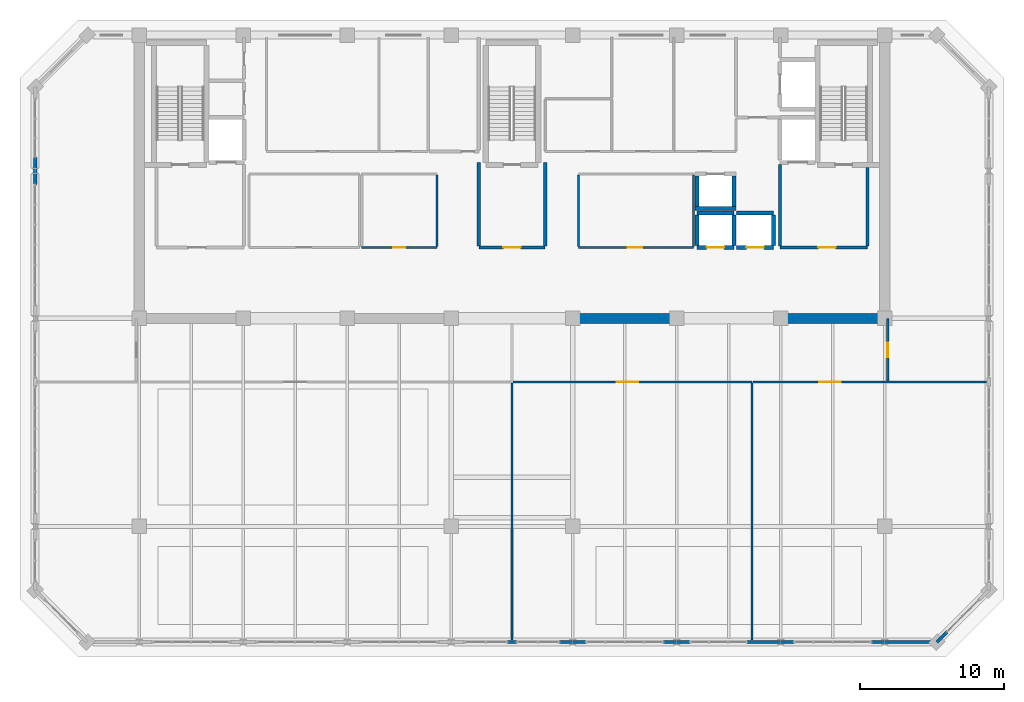
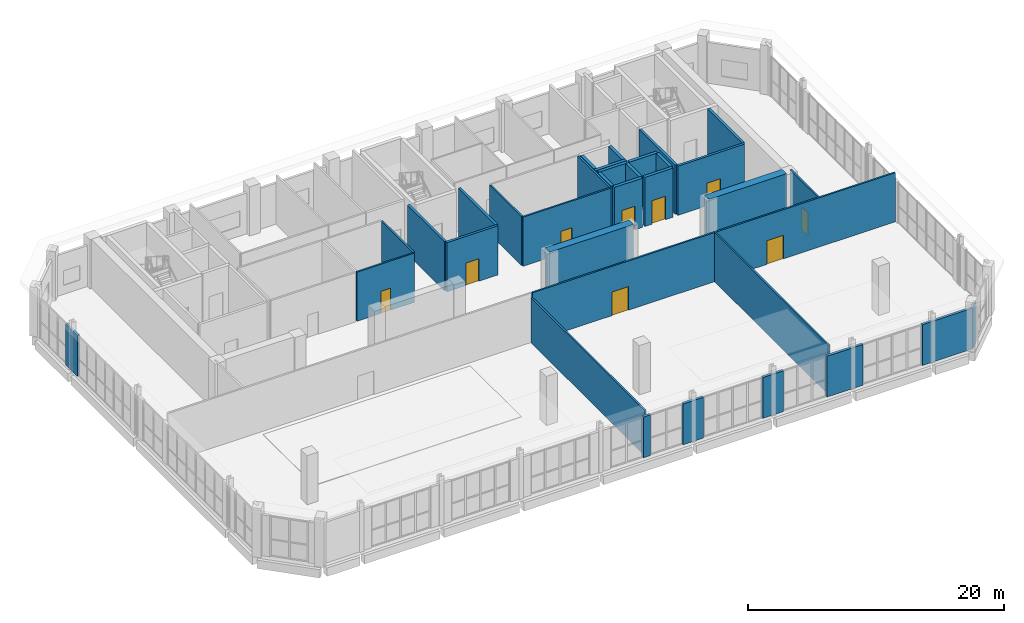
# One storey, part 30 of 36: 35 walls, 9 doors, 9 openings.
"""IFC4 building model written with IfcOpenShell, lengths in metres."""

from ifc_helpers import new_model, si_unit, direction, frame, frame_2d, origin, place, context, subcontext, project, spatial, rectangle, extrude, material, layer, layer_set, type_object, element, fill, save


model = new_model("IFC4")

# Units and contexts
model_context = context("Model", 3, precision=1e-05, world=origin(), true_north=direction((0.0, 1.0)))
body_context = subcontext(model_context, "Body", "Model", "MODEL_VIEW")
ifc_project = project(units=[si_unit("LENGTHUNIT", "METRE"), si_unit("AREAUNIT", "SQUARE_METRE"), si_unit("VOLUMEUNIT", "CUBIC_METRE"), si_unit("PLANEANGLEUNIT", "RADIAN"), si_unit("MASSUNIT", "GRAM", prefix="KILO")], contexts=[model_context])

# Site, building, storey
site_placement = place(None, origin())
site = spatial("IfcSite", under=ifc_project, at=site_placement, CompositionType="ELEMENT")
building_placement = place(site_placement, origin())
building = spatial("IfcBuilding", under=site, at=building_placement, Name="Kaelvorn Grand Hotel", CompositionType="ELEMENT")
storey_placement = place(building_placement, frame((0.0, 0.0, 305.699951171875)))
storey = spatial("IfcBuildingStorey", under=building, at=storey_placement, Name="L74", CompositionType="ELEMENT", Elevation=305.699951171875)

# Walls
ifc_material_1 = material(Name="Concrete C50/60", Category="concrete")
ifc_layer_1 = layer(ifc_material_1, 0.699951171875)
ifc_layer_set_1 = layer_set([ifc_layer_1], Name="Concrete C50/60")
wall_type_1 = type_object("IfcWallType", Name="WL-CORE-700-C50", PredefinedType="SHEAR", material=ifc_layer_set_1)
wall_1_placement = place(storey_placement, frame((46.0, 29.39990234375, 0.0), z_axis=(0.0, 0.0, 1.0), x_axis=(1.0, 0.0, 0.0)))
element("IfcWall", 1, at=wall_1_placement, inside=storey, type_object=wall_type_1, Name="L74 Rear-Core Coupled Shear Pier S3", PredefinedType="SHEAR", context=body_context, shape_type="SweptSolid", body=[
    extrude(rectangle(XDim=7.60009765625, YDim=0.699951171875, at=frame_2d((3.800048828125, 0.0))), origin(), (0.0, 0.0, 1.0), 4.699951171875),
])
wall_2_placement = place(storey_placement, frame((60.39990234375, 29.39990234375, 0.0), z_axis=(0.0, 0.0, 1.0), x_axis=(1.0, 0.0, 0.0)))
element("IfcWall", 2, at=wall_2_placement, inside=storey, type_object=wall_type_1, Name="L74 Rear-Core Coupled Shear Pier S4", PredefinedType="SHEAR", context=body_context, shape_type="SweptSolid", body=[
    extrude(rectangle(XDim=7.045166015625, YDim=0.699951171875, at=frame_2d((3.5224609375, 0.0))), origin(), (0.0, 0.0, 1.0), 4.699951171875),
])
ifc_material_2 = material(Name="Concrete C40/50", Category="concrete")
ifc_layer_2 = layer(ifc_material_2, 0.219970703125)
ifc_layer_set_2 = layer_set([ifc_layer_2], Name="Concrete C40/50")
wall_type_2 = type_object("IfcWallType", Name="WL-EXT-220-C40", PredefinedType="SOLIDWALL", material=ifc_layer_set_2)
wall_3_placement = place(storey_placement, frame((41.675048828125, 7.0, 0.0), z_axis=(0.0, 0.0, 1.0), x_axis=(1.0, 0.0, 0.0)))
element("IfcWall", 3, at=wall_3_placement, inside=storey, type_object=wall_type_2, Name="L74 Exterior Architectural Concrete Wall 01 Pier 5", PredefinedType="SOLIDWALL", context=body_context, shape_type="SweptSolid", body=[
    extrude(rectangle(XDim=0.64990234375, YDim=0.219970703125, at=frame_2d((0.324951171875, 0.0))), origin(), (0.0, 0.0, 1.0), 3.900146484375),
])
wall_4_placement = place(storey_placement, frame((45.27490234375, 7.0, 0.0), z_axis=(0.0, 0.0, 1.0), x_axis=(1.0, 0.0, 0.0)))
element("IfcWall", 4, at=wall_4_placement, inside=storey, type_object=wall_type_2, Name="L74 Exterior Architectural Concrete Wall 01 Pier 6", PredefinedType="SOLIDWALL", context=body_context, shape_type="SweptSolid", body=[
    extrude(rectangle(XDim=1.85009765625, YDim=0.219970703125, at=frame_2d((0.925048828125, 0.0))), origin(), (0.0, 0.0, 1.0), 3.900146484375),
])
wall_5_placement = place(storey_placement, frame((52.47509765625, 7.0, 0.0), z_axis=(0.0, 0.0, 1.0), x_axis=(1.0, 0.0, 0.0)))
element("IfcWall", 5, at=wall_5_placement, inside=storey, type_object=wall_type_2, Name="L74 Exterior Architectural Concrete Wall 01 Pier 7", PredefinedType="SOLIDWALL", context=body_context, shape_type="SweptSolid", body=[
    extrude(rectangle(XDim=1.849853515625, YDim=0.219970703125, at=frame_2d((0.9248046875, 0.0))), origin(), (0.0, 0.0, 1.0), 3.900146484375),
])
wall_6_placement = place(storey_placement, frame((58.27490234375, 7.0, 0.0), z_axis=(0.0, 0.0, 1.0), x_axis=(1.0, 0.0, 0.0)))
element("IfcWall", 6, at=wall_6_placement, inside=storey, type_object=wall_type_2, Name="L74 Exterior Architectural Concrete Wall 01 Pier 8", PredefinedType="SOLIDWALL", context=body_context, shape_type="SweptSolid", body=[
    extrude(rectangle(XDim=3.25, YDim=0.219970703125, at=frame_2d((1.625, 0.0))), origin(), (0.0, 0.0, 1.0), 3.900146484375),
])
wall_7_placement = place(storey_placement, frame((66.875, 7.0, 0.0), z_axis=(0.0, 0.0, 1.0), x_axis=(1.0, 0.0, 0.0)))
element("IfcWall", 7, at=wall_7_placement, inside=storey, type_object=wall_type_2, Name="L74 Exterior Architectural Concrete Wall 01 Pier 9", PredefinedType="SOLIDWALL", context=body_context, shape_type="SweptSolid", body=[
    extrude(rectangle(XDim=4.52490234375, YDim=0.219970703125, at=frame_2d((2.262451171875, 0.0))), origin(), (0.0, 0.0, 1.0), 3.900146484375),
])
wall_8_placement = place(storey_placement, frame((71.39990234375, 7.0, 0.0), z_axis=(0.0, 0.0, 1.0), x_axis=(0.707106781187, 0.707106781187, 0.0)))
element("IfcWall", 8, at=wall_8_placement, inside=storey, type_object=wall_type_2, Name="L74 Exterior Architectural Concrete Wall 02 Pier 1", PredefinedType="SOLIDWALL", context=body_context, shape_type="SweptSolid", body=[
    extrude(rectangle(XDim=0.985107421875, YDim=0.219970703125, at=frame_2d((0.49267578125, 0.0))), origin(), (0.0, 0.0, 1.0), 3.900146484375),
])
wall_9_placement = place(storey_placement, frame((9.0, 40.52490234375, 0.0), z_axis=(0.0, 0.0, 1.0), x_axis=(0.0, -1.0, 0.0)))
element("IfcWall", 9, at=wall_9_placement, inside=storey, type_object=wall_type_2, Name="L74 Exterior Architectural Concrete Wall 07 Pier 2", PredefinedType="SOLIDWALL", context=body_context, shape_type="SweptSolid", body=[
    extrude(rectangle(XDim=1.849853515625, YDim=0.219970703125, at=frame_2d((0.9248046875, 0.0))), origin(), (0.0, 0.0, 1.0), 3.900146484375),
])

# Wall, opening, door
ifc_material_3 = material(Name="Acoustic Gypsum & Stud Partition")
ifc_layer_3 = layer(ifc_material_3, 0.14990234375)
ifc_layer_set_3 = layer_set([ifc_layer_3], Name="Acoustic Gypsum & Stud Partition")
wall_type_3 = type_object("IfcWallType", Name="WL-PART-150-EI60", PredefinedType="PARTITIONING", material=ifc_layer_set_3)
wall_10_placement = place(storey_placement, frame((31.60009765625, 34.300048828125, 0.0), z_axis=(0.0, 0.0, 1.0), x_axis=(1.0, 0.0, 0.0)))
wall_10 = element("IfcWall", 10, at=wall_10_placement, inside=storey, type_object=wall_type_3, Name="L74 Core Telecoms & BMS Server Room S Partition", PredefinedType="PARTITIONING", context=body_context, shape_type="SweptSolid", body=[
    extrude(rectangle(XDim=5.199951171875, YDim=0.14990234375, at=frame_2d((2.60009765625, 0.0))), origin(), (0.0, 0.0, 1.0), 4.699951171875),
])
opening_1_placement = place(wall_10_placement, frame((2.175048828125, 0.0, 0.0)))
opening_1 = element("IfcOpeningElement", 11, at=opening_1_placement, cuts=wall_10, Name="Opening DI7", PredefinedType="OPENING", context=body_context, shape_type="SweptSolid", body=[
    extrude(rectangle(XDim=0.85009765625, YDim=2.10009765625, at=frame_2d((0.425048828125, 1.050048828125))), frame((0.0, 0.0849609375, 0.0), z_axis=(0.0, -1.0, 0.0), x_axis=(1.0, 0.0, 0.0)), (0.0, 0.0, 1.0), 0.169921875),
])
ifc_material_4 = material(Name="Powder-Coated Steel Leaf", Category="steel")
door_type_1 = type_object("IfcDoorType", Name="DR-INT-RISER-850x2100", OperationType="NOTDEFINED", PredefinedType="DOOR", material=ifc_material_4)
door_1_placement = place(opening_1_placement, origin())
door_1 = element("IfcDoor", 12, at=door_1_placement, inside=storey, type_object=door_type_1, Name="L74 Core Telecoms & BMS Server Room Door", OperationType="SINGLE_SWING_LEFT", OverallHeight=2.10009765625, OverallWidth=0.85009765625, PredefinedType="DOOR", context=body_context, shape_type="SweptSolid", body=[
    extrude(rectangle(XDim=0.85009765625, YDim=2.10009765625, at=frame_2d((0.425048828125, 1.050048828125))), frame((0.0, 0.02490234375, 0.0), z_axis=(0.0, -1.0, 0.0), x_axis=(1.0, 0.0, 0.0)), (0.0, 0.0, 1.0), 0.050048828125),
])
fill(opening_1, door_1)

# Wall
wall_11_placement = place(storey_placement, frame((36.800048828125, 34.3798828125, 0.0), z_axis=(0.0, 0.0, 1.0), x_axis=(0.0, 1.0, 0.0)))
element("IfcWall", 13, at=wall_11_placement, inside=storey, type_object=wall_type_3, Name="L74 Core Telecoms & BMS Server Room E Partition", PredefinedType="PARTITIONING", context=body_context, shape_type="SweptSolid", body=[
    extrude(rectangle(XDim=4.940185546875, YDim=0.14990234375, at=frame_2d((2.47021484375, 0.0))), origin(), (0.0, 0.0, 1.0), 4.699951171875),
])

# Wall, opening, door
wall_12_placement = place(storey_placement, frame((46.60009765625, 34.300048828125, 0.0), z_axis=(0.0, 0.0, 1.0), x_axis=(1.0, 0.0, 0.0)))
wall_12 = element("IfcWall", 14, at=wall_12_placement, inside=storey, type_object=wall_type_3, Name="L74 Sky Concierge & Butler Pantry Lounge S Partition", PredefinedType="PARTITIONING", context=body_context, shape_type="SweptSolid", body=[
    extrude(rectangle(XDim=7.949951171875, YDim=0.14990234375, at=frame_2d((3.97509765625, 0.0))), origin(), (0.0, 0.0, 1.0), 4.699951171875),
])
opening_2_placement = place(wall_12_placement, frame((3.39990234375, 0.0, 0.0)))
opening_2 = element("IfcOpeningElement", 15, at=opening_2_placement, cuts=wall_12, Name="Opening DI3", PredefinedType="OPENING", context=body_context, shape_type="SweptSolid", body=[
    extrude(rectangle(XDim=1.0, YDim=2.14990234375, at=frame_2d((0.5, 1.074951171875))), frame((0.0, 0.0849609375, 0.0), z_axis=(0.0, -1.0, 0.0), x_axis=(1.0, 0.0, 0.0)), (0.0, 0.0, 1.0), 0.169921875),
])
ifc_material_5 = material(Name="Timber Veneer Fire Leaf", Category="wood")
door_type_2 = type_object("IfcDoorType", Name="DR-INT-GUEST-1000x2150", OperationType="NOTDEFINED", PredefinedType="DOOR", material=ifc_material_5)
door_2_placement = place(opening_2_placement, origin())
door_2 = element("IfcDoor", 16, at=door_2_placement, inside=storey, type_object=door_type_2, Name="L74 Sky Concierge & Butler Pantry Lounge Door", OperationType="SINGLE_SWING_LEFT", OverallHeight=2.14990234375, OverallWidth=1.0, PredefinedType="DOOR", context=body_context, shape_type="SweptSolid", body=[
    extrude(rectangle(XDim=1.0, YDim=2.14990234375, at=frame_2d((0.5, 1.074951171875))), frame((0.0, 0.02490234375, 0.0), z_axis=(0.0, -1.0, 0.0), x_axis=(1.0, 0.0, 0.0)), (0.0, 0.0, 1.0), 0.050048828125),
])
fill(opening_2, door_2)

# Walls
for number, where, z_axis, x_axis, name in (
    (17, (46.60009765625, 34.3798828125, 0.0), (0.0, 0.0, 1.0), (0.0, 1.0, 0.0), "L74 Sky Concierge & Butler Pantry Lounge W Partition"),
    (18, (54.550048828125, 34.3798828125, 0.0), (0.0, 0.0, 1.0), (0.0, 1.0, 0.0), "L74 Sky Concierge & Butler Pantry Lounge E Partition"),
):
    element("IfcWall", number, at=place(storey_placement, frame(where, z_axis=z_axis, x_axis=x_axis)), inside=storey, type_object=wall_type_3, Name=name, PredefinedType="PARTITIONING", context=body_context, shape_type="SweptSolid", body=[
        extrude(rectangle(XDim=4.940185546875, YDim=0.14990234375, at=frame_2d((2.47021484375, 0.0))), origin(), (0.0, 0.0, 1.0), 4.699951171875),
    ])
wall_13_placement = place(storey_placement, frame((42.0, 7.14990234375, 0.0), z_axis=(0.0, 0.0, 1.0), x_axis=(0.0, 1.0, 0.0)))
element("IfcWall", 19, at=wall_13_placement, inside=storey, type_object=wall_type_3, Name="L74 Signature Sky Restaurant E Partition", PredefinedType="PARTITIONING", context=body_context, shape_type="SweptSolid", body=[
    extrude(rectangle(XDim=17.77001953125, YDim=0.14990234375, at=frame_2d((8.885009765625, 0.0))), origin(), (0.0, 0.0, 1.0), 4.300048828125),
])

# Wall, opening, door
wall_14_placement = place(storey_placement, frame((42.080078125, 25.0, 0.0), z_axis=(0.0, 0.0, 1.0), x_axis=(1.0, 0.0, 0.0)))
wall_14 = element("IfcWall", 20, at=wall_14_placement, inside=storey, type_object=wall_type_3, Name="L74 Panorama Sky Bar N Partition", PredefinedType="PARTITIONING", context=body_context, shape_type="SweptSolid", body=[
    extrude(rectangle(XDim=16.52001953125, YDim=0.14990234375, at=frame_2d((8.260009765625, 0.0))), origin(), (0.0, 0.0, 1.0), 4.699951171875),
])
opening_3_placement = place(wall_14_placement, frame((7.169921875, 0.0, 0.0)))
opening_3 = element("IfcOpeningElement", 21, at=opening_3_placement, cuts=wall_14, Name="Opening DI5", PredefinedType="OPENING", context=body_context, shape_type="SweptSolid", body=[
    extrude(rectangle(XDim=1.5, YDim=2.25, at=frame_2d((0.75, 1.125))), frame((0.0, 0.0849609375, 0.0), z_axis=(0.0, -1.0, 0.0), x_axis=(1.0, 0.0, 0.0)), (0.0, 0.0, 1.0), 0.169921875),
])
door_type_3 = type_object("IfcDoorType", Name="DR-INT-SALON-1500x2250", OperationType="DOUBLE_DOOR_SINGLE_SWING", PredefinedType="DOOR", material=ifc_material_5)
door_3_placement = place(opening_3_placement, origin())
door_3 = element("IfcDoor", 22, at=door_3_placement, inside=storey, type_object=door_type_3, Name="L74 Panorama Sky Bar Door", OperationType="DOUBLE_DOOR_SINGLE_SWING", OverallHeight=2.25, OverallWidth=1.5, PredefinedType="DOOR", context=body_context, shape_type="SweptSolid", body=[
    extrude(rectangle(XDim=1.5, YDim=2.25, at=frame_2d((0.75, 1.125))), frame((0.0, 0.02490234375, 0.0), z_axis=(0.0, -1.0, 0.0), x_axis=(1.0, 0.0, 0.0)), (0.0, 0.0, 1.0), 0.050048828125),
])
fill(opening_3, door_3)

# Wall
wall_15_placement = place(storey_placement, frame((58.60009765625, 7.14990234375, 0.0), z_axis=(0.0, 0.0, 1.0), x_axis=(0.0, 1.0, 0.0)))
element("IfcWall", 23, at=wall_15_placement, inside=storey, type_object=wall_type_3, Name="L74 Panorama Sky Bar E Partition", PredefinedType="PARTITIONING", context=body_context, shape_type="SweptSolid", body=[
    extrude(rectangle(XDim=17.77001953125, YDim=0.14990234375, at=frame_2d((8.885009765625, 0.0))), origin(), (0.0, 0.0, 1.0), 4.699951171875),
])

# Wall, opening, door
wall_16_placement = place(storey_placement, frame((58.679931640625, 25.0, 0.0), z_axis=(0.0, 0.0, 1.0), x_axis=(1.0, 0.0, 0.0)))
wall_16 = element("IfcWall", 24, at=wall_16_placement, inside=storey, type_object=wall_type_3, Name="L74 Finishing Kitchen N Partition", PredefinedType="PARTITIONING", context=body_context, shape_type="SweptSolid", body=[
    extrude(rectangle(XDim=16.170166015625, YDim=0.14990234375, at=frame_2d((8.0849609375, 0.0))), origin(), (0.0, 0.0, 1.0), 4.699951171875),
])
opening_4_placement = place(wall_16_placement, frame((4.570068359375, 0.0, 0.0)))
opening_4 = element("IfcOpeningElement", 25, at=opening_4_placement, cuts=wall_16, Name="Opening DI5", PredefinedType="OPENING", context=body_context, shape_type="SweptSolid", body=[
    extrude(rectangle(XDim=1.5, YDim=2.25, at=frame_2d((0.75, 1.125))), frame((0.0, 0.0849609375, 0.0), z_axis=(0.0, -1.0, 0.0), x_axis=(1.0, 0.0, 0.0)), (0.0, 0.0, 1.0), 0.169921875),
])
door_4_placement = place(opening_4_placement, origin())
door_4 = element("IfcDoor", 26, at=door_4_placement, inside=storey, type_object=door_type_3, Name="L74 Finishing Kitchen Door", OperationType="DOUBLE_DOOR_SINGLE_SWING", OverallHeight=2.25, OverallWidth=1.5, PredefinedType="DOOR", context=body_context, shape_type="SweptSolid", body=[
    extrude(rectangle(XDim=1.5, YDim=2.25, at=frame_2d((0.75, 1.125))), frame((0.0, 0.02490234375, 0.0), z_axis=(0.0, -1.0, 0.0), x_axis=(1.0, 0.0, 0.0)), (0.0, 0.0, 1.0), 0.050048828125),
])
fill(opening_4, door_4)

wall_17_placement = place(storey_placement, frame((68.0, 25.080078125, 0.0), z_axis=(0.0, 0.0, 1.0), x_axis=(0.0, 1.0, 0.0)))
wall_17 = element("IfcWall", 27, at=wall_17_placement, inside=storey, type_object=wall_type_3, Name="L74 East Wine Cellar & Pastry Kitchen W Partition", PredefinedType="PARTITIONING", context=body_context, shape_type="SweptSolid", body=[
    extrude(rectangle(XDim=4.309814453125, YDim=0.14990234375, at=frame_2d((2.15478515625, 0.0))), origin(), (0.0, 0.0, 1.0), 4.699951171875),
])
opening_5_placement = place(wall_17_placement, frame((1.6201171875, 0.0, 0.0)))
opening_5 = element("IfcOpeningElement", 28, at=opening_5_placement, cuts=wall_17, Name="Opening DI3", PredefinedType="OPENING", context=body_context, shape_type="SweptSolid", body=[
    extrude(rectangle(XDim=1.0, YDim=2.14990234375, at=frame_2d((0.5, 1.074951171875))), frame((0.0, 0.0849609375, 0.0), z_axis=(0.0, -1.0, 0.0), x_axis=(1.0, 0.0, 0.0)), (0.0, 0.0, 1.0), 0.169921875),
])
door_5_placement = place(opening_5_placement, origin())
door_5 = element("IfcDoor", 29, at=door_5_placement, inside=storey, type_object=door_type_2, Name="L74 East Wine Cellar & Pastry Kitchen Door", OperationType="SINGLE_SWING_LEFT", OverallHeight=2.14990234375, OverallWidth=1.0, PredefinedType="DOOR", context=body_context, shape_type="SweptSolid", body=[
    extrude(rectangle(XDim=1.0, YDim=2.14990234375, at=frame_2d((0.5, 1.074951171875))), frame((0.0, 0.02490234375, 0.0), z_axis=(0.0, -1.0, 0.0), x_axis=(1.0, 0.0, 0.0)), (0.0, 0.0, 1.0), 0.050048828125),
])
fill(opening_5, door_5)

ifc_layer_4 = layer(ifc_material_2, 0.219970703125)
ifc_layer_set_4 = layer_set([ifc_layer_4], Name="Concrete C40/50")
wall_type_4 = type_object("IfcWallType", Name="WL-PART-220-EI120", PredefinedType="PARTITIONING", material=ifc_layer_set_4)
wall_18_placement = place(storey_placement, frame((60.550048828125, 34.300048828125, 0.0), z_axis=(0.0, 0.0, 1.0), x_axis=(1.0, 0.0, 0.0)))
wall_18 = element("IfcWall", 30, at=wall_18_placement, inside=storey, type_object=wall_type_4, Name="L74 Firefighting Lift Lobby 2 S Partition", PredefinedType="PARTITIONING", context=body_context, shape_type="SweptSolid", body=[
    extrude(rectangle(XDim=6.050048828125, YDim=0.219970703125, at=frame_2d((3.02490234375, 0.0))), origin(), (0.0, 0.0, 1.0), 4.699951171875),
])
opening_6_placement = place(wall_18_placement, frame((2.64990234375, 0.0, 0.0)))
opening_6 = element("IfcOpeningElement", 31, at=opening_6_placement, cuts=wall_18, Name="Opening DI2", PredefinedType="OPENING", context=body_context, shape_type="SweptSolid", body=[
    extrude(rectangle(XDim=1.199951171875, YDim=2.14990234375, at=frame_2d((0.60009765625, 1.074951171875))), frame((0.0, 0.1201171875, 0.0), z_axis=(0.0, -1.0, 0.0), x_axis=(1.0, 0.0, 0.0)), (0.0, 0.0, 1.0), 0.239990234375),
])
door_type_4 = type_object("IfcDoorType", Name="DR-INT-FFLOB-1200x2150", OperationType="NOTDEFINED", PredefinedType="DOOR", material=ifc_material_5)
door_6_placement = place(opening_6_placement, origin())
door_6 = element("IfcDoor", 32, at=door_6_placement, inside=storey, type_object=door_type_4, Name="L74 Firefighting Lift Lobby 2 Door", OperationType="SINGLE_SWING_RIGHT", OverallHeight=2.14990234375, OverallWidth=1.199951171875, PredefinedType="DOOR", context=body_context, shape_type="SweptSolid", body=[
    extrude(rectangle(XDim=1.199951171875, YDim=2.14990234375, at=frame_2d((0.60009765625, 1.074951171875))), frame((0.0, 0.02490234375, 0.0), z_axis=(0.0, -1.0, 0.0), x_axis=(1.0, 0.0, 0.0)), (0.0, 0.0, 1.0), 0.050048828125),
])
fill(opening_6, door_6)

# Walls
wall_19_placement = place(storey_placement, frame((60.550048828125, 34.4150390625, 0.0), z_axis=(0.0, 0.0, 1.0), x_axis=(0.0, 1.0, 0.0)))
element("IfcWall", 33, at=wall_19_placement, inside=storey, type_object=wall_type_4, Name="L74 Firefighting Lift Lobby 2 W Partition", PredefinedType="PARTITIONING", context=body_context, shape_type="SweptSolid", body=[
    extrude(rectangle(XDim=5.639892578125, YDim=0.219970703125, at=frame_2d((2.81982421875, 0.0))), origin(), (0.0, 0.0, 1.0), 4.699951171875),
])
wall_20_placement = place(storey_placement, frame((66.60009765625, 34.4150390625, 0.0), z_axis=(0.0, 0.0, 1.0), x_axis=(0.0, 1.0, 0.0)))
element("IfcWall", 34, at=wall_20_placement, inside=storey, type_object=wall_type_4, Name="L74 Firefighting Lift Lobby 2 E Partition", PredefinedType="PARTITIONING", context=body_context, shape_type="SweptSolid", body=[
    extrude(rectangle(XDim=5.429931640625, YDim=0.219970703125, at=frame_2d((2.71484375, 0.0))), origin(), (0.0, 0.0, 1.0), 4.699951171875),
])

# Wall, opening, door
wall_21_placement = place(storey_placement, frame((39.699951171875, 34.300048828125, 0.0), z_axis=(0.0, 0.0, 1.0), x_axis=(1.0, 0.0, 0.0)))
wall_21 = element("IfcWall", 35, at=wall_21_placement, inside=storey, type_object=wall_type_4, Name="L74 Central Stair Escape Vestibule S Partition", PredefinedType="PARTITIONING", context=body_context, shape_type="SweptSolid", body=[
    extrude(rectangle(XDim=4.60009765625, YDim=0.219970703125, at=frame_2d((2.300048828125, 0.0))), origin(), (0.0, 0.0, 1.0), 4.699951171875),
])
opening_7_placement = place(wall_21_placement, frame((1.699951171875, 0.0, 0.0)))
opening_7 = element("IfcOpeningElement", 36, at=opening_7_placement, cuts=wall_21, Name="Opening DI2", PredefinedType="OPENING", context=body_context, shape_type="SweptSolid", body=[
    extrude(rectangle(XDim=1.199951171875, YDim=2.14990234375, at=frame_2d((0.60009765625, 1.074951171875))), frame((0.0, 0.1201171875, 0.0), z_axis=(0.0, -1.0, 0.0), x_axis=(1.0, 0.0, 0.0)), (0.0, 0.0, 1.0), 0.239990234375),
])
door_7_placement = place(opening_7_placement, origin())
door_7 = element("IfcDoor", 37, at=door_7_placement, inside=storey, type_object=door_type_4, Name="L74 Central Stair Escape Vestibule Door", OperationType="SINGLE_SWING_LEFT", OverallHeight=2.14990234375, OverallWidth=1.199951171875, PredefinedType="DOOR", context=body_context, shape_type="SweptSolid", body=[
    extrude(rectangle(XDim=1.199951171875, YDim=2.14990234375, at=frame_2d((0.60009765625, 1.074951171875))), frame((0.0, 0.02490234375, 0.0), z_axis=(0.0, -1.0, 0.0), x_axis=(1.0, 0.0, 0.0)), (0.0, 0.0, 1.0), 0.050048828125),
])
fill(opening_7, door_7)

# Walls
for number, where, z_axis, x_axis, name in (
    (38, (39.699951171875, 34.4150390625, 0.0), (0.0, 0.0, 1.0), (0.0, 1.0, 0.0), "L74 Central Stair Escape Vestibule W Partition"),
    (39, (44.300048828125, 34.4150390625, 0.0), (0.0, 0.0, 1.0), (0.0, 1.0, 0.0), "L74 Central Stair Escape Vestibule E Partition"),
):
    element("IfcWall", number, at=place(storey_placement, frame(where, z_axis=z_axis, x_axis=x_axis)), inside=storey, type_object=wall_type_4, Name=name, PredefinedType="PARTITIONING", context=body_context, shape_type="SweptSolid", body=[
        extrude(rectangle(XDim=5.784912109375, YDim=0.219970703125, at=frame_2d((2.892578125, 0.0))), origin(), (0.0, 0.0, 1.0), 4.699951171875),
    ])

# Wall, opening, door
ifc_layer_5 = layer(ifc_material_1, 0.280029296875)
ifc_layer_set_5 = layer_set([ifc_layer_5], Name="Concrete C50/60")
wall_type_5 = type_object("IfcWallType", Name="WL-SHAFT-280-C50", PredefinedType="SHEAR", material=ifc_layer_set_5)
wall_22_placement = place(storey_placement, frame((54.800048828125, 34.300048828125, 0.0), z_axis=(0.0, 0.0, 1.0), x_axis=(1.0, 0.0, 0.0)))
wall_22 = element("IfcWall", 40, at=wall_22_placement, inside=storey, type_object=wall_type_5, Name="L74 Lift OL-1 Shaft South Wall", PredefinedType="SHEAR", context=body_context, shape_type="SweptSolid", body=[
    extrude(rectangle(XDim=2.550048828125, YDim=0.280029296875, at=frame_2d((1.27490234375, 0.0))), origin(), (0.0, 0.0, 1.0), 4.699951171875),
])
opening_8_placement = place(wall_22_placement, frame((0.675048828125, 0.0, 0.0)))
opening_8 = element("IfcOpeningElement", 41, at=opening_8_placement, cuts=wall_22, Name="Opening LD-OL-1", PredefinedType="OPENING", context=body_context, shape_type="SweptSolid", body=[
    extrude(rectangle(XDim=1.199951171875, YDim=2.25, at=frame_2d((0.60009765625, 1.125))), frame((0.0, 0.14990234375, 0.0), z_axis=(0.0, -1.0, 0.0), x_axis=(1.0, 0.0, 0.0)), (0.0, 0.0, 1.0), 0.300048828125),
])
ifc_material_6 = material(Name="Stainless Steel", Category="steel")
door_type_5 = type_object("IfcDoorType", Name="DR-LIFT-SHUT-1200x2250", OperationType="DOUBLE_DOOR_SLIDING", PredefinedType="DOOR", material=ifc_material_6)
door_8_placement = place(opening_8_placement, origin())
door_8 = element("IfcDoor", 42, at=door_8_placement, inside=storey, type_object=door_type_5, Name="L74 Lift OL-1 Sliding Landing Door LD-OL-1", OperationType="DOUBLE_DOOR_SLIDING", OverallHeight=2.25, OverallWidth=1.199951171875, PredefinedType="DOOR", context=body_context, shape_type="SweptSolid", body=[
    extrude(rectangle(XDim=1.199951171875, YDim=2.25, at=frame_2d((0.60009765625, 1.125))), frame((0.0, 0.02490234375, 0.0), z_axis=(0.0, -1.0, 0.0), x_axis=(1.0, 0.0, 0.0)), (0.0, 0.0, 1.0), 0.050048828125),
])
fill(opening_8, door_8)

# Walls
wall_23_placement = place(storey_placement, frame((54.800048828125, 36.699951171875, 0.0), z_axis=(0.0, 0.0, 1.0), x_axis=(1.0, 0.0, 0.0)))
element("IfcWall", 43, at=wall_23_placement, inside=storey, type_object=wall_type_5, Name="L74 Lift OL-1 Shaft North Wall", PredefinedType="SHEAR", context=body_context, shape_type="SweptSolid", body=[
    extrude(rectangle(XDim=2.550048828125, YDim=0.280029296875, at=frame_2d((1.27490234375, 0.0))), origin(), (0.0, 0.0, 1.0), 4.699951171875),
])
for number, where, z_axis, x_axis, name in (
    (44, (54.800048828125, 34.445068359375, 0.0), (0.0, 0.0, 1.0), (0.0, 1.0, 0.0), "L74 Lift OL-1 Shaft West Wall"),
    (45, (57.35009765625, 34.445068359375, 0.0), (0.0, 0.0, 1.0), (0.0, 1.0, 0.0), "L74 Lift OL-1 Shaft East Wall"),
):
    element("IfcWall", number, at=place(storey_placement, frame(where, z_axis=z_axis, x_axis=x_axis)), inside=storey, type_object=wall_type_5, Name=name, PredefinedType="SHEAR", context=body_context, shape_type="SweptSolid", body=[
        extrude(rectangle(XDim=2.10986328125, YDim=0.280029296875, at=frame_2d((1.054931640625, 0.0))), origin(), (0.0, 0.0, 1.0), 4.699951171875),
    ])

# Wall, opening, door
wall_24_placement = place(storey_placement, frame((57.550048828125, 34.300048828125, 0.0), z_axis=(0.0, 0.0, 1.0), x_axis=(1.0, 0.0, 0.0)))
wall_24 = element("IfcWall", 46, at=wall_24_placement, inside=storey, type_object=wall_type_5, Name="L74 Lift OL-2 Shaft South Wall", PredefinedType="SHEAR", context=body_context, shape_type="SweptSolid", body=[
    extrude(rectangle(XDim=2.550048828125, YDim=0.280029296875, at=frame_2d((1.27490234375, 0.0))), origin(), (0.0, 0.0, 1.0), 4.699951171875),
])
opening_9_placement = place(wall_24_placement, frame((0.675048828125, 0.0, 0.0)))
opening_9 = element("IfcOpeningElement", 47, at=opening_9_placement, cuts=wall_24, Name="Opening LD-OL-2", PredefinedType="OPENING", context=body_context, shape_type="SweptSolid", body=[
    extrude(rectangle(XDim=1.199951171875, YDim=2.25, at=frame_2d((0.60009765625, 1.125))), frame((0.0, 0.14990234375, 0.0), z_axis=(0.0, -1.0, 0.0), x_axis=(1.0, 0.0, 0.0)), (0.0, 0.0, 1.0), 0.300048828125),
])
door_9_placement = place(opening_9_placement, origin())
door_9 = element("IfcDoor", 48, at=door_9_placement, inside=storey, type_object=door_type_5, Name="L74 Lift OL-2 Sliding Landing Door LD-OL-2", OperationType="DOUBLE_DOOR_SLIDING", OverallHeight=2.25, OverallWidth=1.199951171875, PredefinedType="DOOR", context=body_context, shape_type="SweptSolid", body=[
    extrude(rectangle(XDim=1.199951171875, YDim=2.25, at=frame_2d((0.60009765625, 1.125))), frame((0.0, 0.02490234375, 0.0), z_axis=(0.0, -1.0, 0.0), x_axis=(1.0, 0.0, 0.0)), (0.0, 0.0, 1.0), 0.050048828125),
])
fill(opening_9, door_9)

# Walls
wall_25_placement = place(storey_placement, frame((57.550048828125, 36.699951171875, 0.0), z_axis=(0.0, 0.0, 1.0), x_axis=(1.0, 0.0, 0.0)))
element("IfcWall", 49, at=wall_25_placement, inside=storey, type_object=wall_type_5, Name="L74 Lift OL-2 Shaft North Wall", PredefinedType="SHEAR", context=body_context, shape_type="SweptSolid", body=[
    extrude(rectangle(XDim=2.550048828125, YDim=0.280029296875, at=frame_2d((1.27490234375, 0.0))), origin(), (0.0, 0.0, 1.0), 4.699951171875),
])
wall_26_placement = place(storey_placement, frame((60.10009765625, 34.445068359375, 0.0), z_axis=(0.0, 0.0, 1.0), x_axis=(0.0, 1.0, 0.0)))
element("IfcWall", 50, at=wall_26_placement, inside=storey, type_object=wall_type_5, Name="L74 Lift OL-2 Shaft East Wall", PredefinedType="SHEAR", context=body_context, shape_type="SweptSolid", body=[
    extrude(rectangle(XDim=2.10986328125, YDim=0.280029296875, at=frame_2d((1.054931640625, 0.0))), origin(), (0.0, 0.0, 1.0), 4.699951171875),
])
wall_27_placement = place(storey_placement, frame((54.659912109375, 37.0, 0.0), z_axis=(0.0, 0.0, 1.0), x_axis=(1.0, 0.0, 0.0)))
element("IfcWall", 51, at=wall_27_placement, inside=storey, type_object=wall_type_5, Name="L74 Lift OL-3 Shaft South Wall", PredefinedType="SHEAR", context=body_context, shape_type="SweptSolid", body=[
    extrude(rectangle(XDim=2.830078125, YDim=0.280029296875, at=frame_2d((1.4150390625, 0.0))), origin(), (0.0, 0.0, 1.0), 4.699951171875),
])
for number, where, z_axis, x_axis, name in (
    (52, (54.800048828125, 37.14501953125, 0.0), (0.0, 0.0, 1.0), (0.0, 1.0, 0.0), "L74 Lift OL-3 Shaft West Wall"),
    (53, (57.35009765625, 37.14501953125, 0.0), (0.0, 0.0, 1.0), (0.0, 1.0, 0.0), "L74 Lift OL-3 Shaft East Wall"),
):
    element("IfcWall", number, at=place(storey_placement, frame(where, z_axis=z_axis, x_axis=x_axis)), inside=storey, type_object=wall_type_5, Name=name, PredefinedType="SHEAR", context=body_context, shape_type="SweptSolid", body=[
        extrude(rectangle(XDim=2.10986328125, YDim=0.280029296875, at=frame_2d((1.054931640625, 0.0))), origin(), (0.0, 0.0, 1.0), 4.699951171875),
    ])

save(model, "model.ifc")
